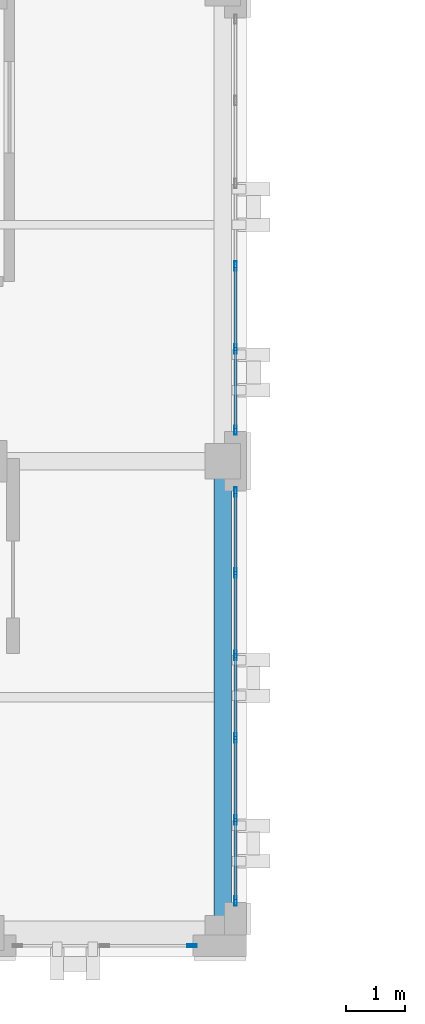
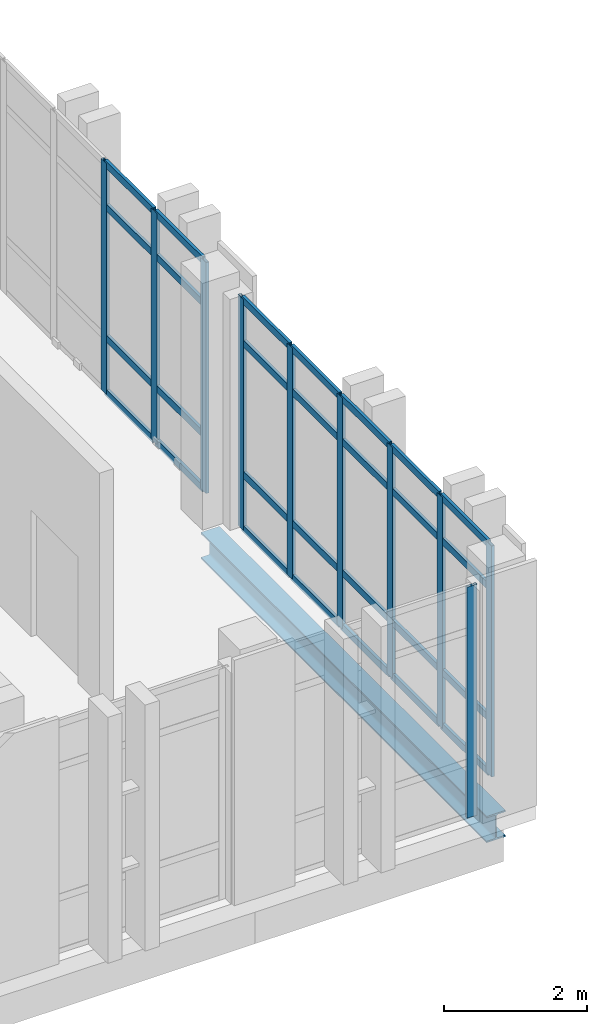
# One storey, part 7 of 77: 38 members, 1 beam, 3 elements without a shape of their own.
"""IFC4 building model written with IfcOpenShell, lengths in metres."""

from ifc_helpers import new_model, si_unit, direction, frame, origin, origin_2d, place, context, subcontext, project, spatial, hollow_rectangle, i_section, extrude, material, layer, layer_set, material_profile, profile_set, type_object, element, aggregate, save


model = new_model("IFC4")

# Units and contexts
model_context = context("Model", 3, precision=1e-05, world=origin(), true_north=direction((0.0, 1.0)))
body_context = subcontext(model_context, "Body", "Model", "MODEL_VIEW")
ifc_project = project(units=[si_unit("LENGTHUNIT", "METRE"), si_unit("AREAUNIT", "SQUARE_METRE"), si_unit("VOLUMEUNIT", "CUBIC_METRE"), si_unit("PLANEANGLEUNIT", "RADIAN"), si_unit("MASSUNIT", "GRAM", prefix="KILO")], contexts=[model_context])

# Site, building, storey
site_placement = place(None, origin())
site = spatial("IfcSite", under=ifc_project, at=site_placement, CompositionType="ELEMENT")
building_placement = place(site_placement, origin())
building = spatial("IfcBuilding", under=site, at=building_placement, Name="Qalavern Law Courts", CompositionType="ELEMENT")
storey_placement = place(building_placement, frame((0.0, 0.0, 27.0)))
storey = spatial("IfcBuildingStorey", under=building, at=storey_placement, Name="L06", CompositionType="ELEMENT", Elevation=27.0)

# Curtain wall, member
ifc_material_1 = material(Name="Anodised aluminium and insulated glazing", Category="aluminium")
ifc_layer = layer(ifc_material_1, 0.159912109375)
ifc_layer_set = layer_set([ifc_layer], Name="Anodised aluminium and insulated glazing")
curtain_wall_type = type_object("IfcCurtainWallType", Name="ENV-CW-CHAMB", PredefinedType="USERDEFINED", material=ifc_layer_set)
curtain_wall_1_placement = place(storey_placement, origin())
curtain_wall_1 = element("IfcCurtainWall", 1, at=curtain_wall_1_placement, inside=storey, type_object=curtain_wall_type, Name="V3 unitised curtain wall L06 south 2", ObjectType="UNITISED CURTAIN WALL", PredefinedType="USERDEFINED")
ifc_material_2 = material(Name="Anodised aluminium", Category="aluminium")
ifc_material_profile_1 = material_profile(ifc_material_2, hollow_rectangle(XDim=0.048095703125, YDim=0.159912109375, WallThickness=0.00390625, at=origin_2d()), Name="ALU MULLION 48x160")
ifc_profile_set_1 = profile_set([ifc_material_profile_1], Name="Anodised aluminium")
member_type_1 = type_object("IfcMemberType", Name="ENV-CWM-48x160", PredefinedType="MULLION", material=ifc_profile_set_1)
member_1_placement = place(storey_placement, frame((17.8759765625, 41.205078125, 0.0), z_axis=(0.0, 0.0, 1.0), x_axis=(0.0, 1.0, 0.0)))
member_1 = element("IfcMember", 2, at=member_1_placement, type_object=member_type_1, Name="CW-04 mullion 3", PredefinedType="MULLION", context=body_context, shape_type="SweptSolid", body=[
    extrude(hollow_rectangle(XDim=0.048095703125, YDim=0.159912109375, WallThickness=0.00390625, at=origin_2d()), origin(), (0.0, 0.0, 1.0), 3.93505859375),
])
aggregate(curtain_wall_1, [member_1])

# Curtain wall, members
curtain_wall_2_placement = place(storey_placement, origin())
curtain_wall_2 = element("IfcCurtainWall", 3, at=curtain_wall_2_placement, inside=storey, type_object=curtain_wall_type, Name="V3 unitised curtain wall L06 east 1", ObjectType="UNITISED CURTAIN WALL", PredefinedType="USERDEFINED")
member_2_placement = place(storey_placement, frame((18.614990234375, 41.958984375, 0.0), z_axis=(0.0, 0.0, 1.0), x_axis=(-1.0, 0.0, 0.0)))
member_2 = element("IfcMember", 4, at=member_2_placement, type_object=member_type_1, Name="CW-04 mullion 1", PredefinedType="MULLION", context=body_context, shape_type="SweptSolid", body=[
    extrude(hollow_rectangle(XDim=0.048095703125, YDim=0.159912109375, WallThickness=0.00390625, at=origin_2d()), origin(), (0.0, 0.0, 1.0), 3.93505859375),
])
member_3_placement = place(storey_placement, frame((18.614990234375, 43.327880859375, 0.0), z_axis=(0.0, 0.0, 1.0), x_axis=(-1.0, 0.0, 0.0)))
member_3 = element("IfcMember", 5, at=member_3_placement, type_object=member_type_1, Name="CW-04 mullion 2", PredefinedType="MULLION", context=body_context, shape_type="SweptSolid", body=[
    extrude(hollow_rectangle(XDim=0.048095703125, YDim=0.159912109375, WallThickness=0.00390625, at=origin_2d()), origin(), (0.0, 0.0, 1.0), 3.93505859375),
])
member_4_placement = place(storey_placement, frame((18.614990234375, 44.720947265625, 0.0), z_axis=(0.0, 0.0, 1.0), x_axis=(-1.0, 0.0, 0.0)))
member_4 = element("IfcMember", 6, at=member_4_placement, type_object=member_type_1, Name="CW-04 mullion 3", PredefinedType="MULLION", context=body_context, shape_type="SweptSolid", body=[
    extrude(hollow_rectangle(XDim=0.048095703125, YDim=0.159912109375, WallThickness=0.00390625, at=origin_2d()), origin(), (0.0, 0.0, 1.0), 3.93505859375),
])
member_5_placement = place(storey_placement, frame((18.614990234375, 46.114013671875, 0.0), z_axis=(0.0, 0.0, 1.0), x_axis=(-1.0, 0.0, 0.0)))
member_5 = element("IfcMember", 7, at=member_5_placement, type_object=member_type_1, Name="CW-04 mullion 4", PredefinedType="MULLION", context=body_context, shape_type="SweptSolid", body=[
    extrude(hollow_rectangle(XDim=0.048095703125, YDim=0.159912109375, WallThickness=0.00390625, at=origin_2d()), origin(), (0.0, 0.0, 1.0), 3.93505859375),
])
member_6_placement = place(storey_placement, frame((18.614990234375, 47.507080078125, 0.0), z_axis=(0.0, 0.0, 1.0), x_axis=(-1.0, 0.0, 0.0)))
member_6 = element("IfcMember", 8, at=member_6_placement, type_object=member_type_1, Name="CW-04 mullion 5", PredefinedType="MULLION", context=body_context, shape_type="SweptSolid", body=[
    extrude(hollow_rectangle(XDim=0.048095703125, YDim=0.159912109375, WallThickness=0.00390625, at=origin_2d()), origin(), (0.0, 0.0, 1.0), 3.93505859375),
])
member_7_placement = place(storey_placement, frame((18.614990234375, 48.8759765625, 0.0), z_axis=(0.0, 0.0, 1.0), x_axis=(-1.0, 0.0, 0.0)))
member_7 = element("IfcMember", 9, at=member_7_placement, type_object=member_type_1, Name="CW-04 mullion 6", PredefinedType="MULLION", context=body_context, shape_type="SweptSolid", body=[
    extrude(hollow_rectangle(XDim=0.048095703125, YDim=0.159912109375, WallThickness=0.00390625, at=origin_2d()), origin(), (0.0, 0.0, 1.0), 3.93505859375),
])

curtain_wall_3_placement = place(storey_placement, origin())
curtain_wall_3 = element("IfcCurtainWall", 10, at=curtain_wall_3_placement, inside=storey, type_object=curtain_wall_type, Name="V3 unitised curtain wall L06 east 2", ObjectType="UNITISED CURTAIN WALL", PredefinedType="USERDEFINED")
member_8_placement = place(storey_placement, frame((18.614990234375, 49.924072265625, 0.0), z_axis=(0.0, 0.0, 1.0), x_axis=(-1.0, 0.0, 0.0)))
member_8 = element("IfcMember", 11, at=member_8_placement, type_object=member_type_1, Name="CW-04 mullion 1", PredefinedType="MULLION", context=body_context, shape_type="SweptSolid", body=[
    extrude(hollow_rectangle(XDim=0.048095703125, YDim=0.159912109375, WallThickness=0.00390625, at=origin_2d()), origin(), (0.0, 0.0, 1.0), 3.93505859375),
])
member_9_placement = place(storey_placement, frame((18.614990234375, 51.300048828125, 0.0), z_axis=(0.0, 0.0, 1.0), x_axis=(-1.0, 0.0, 0.0)))
member_9 = element("IfcMember", 12, at=member_9_placement, type_object=member_type_1, Name="CW-04 mullion 2", PredefinedType="MULLION", context=body_context, shape_type="SweptSolid", body=[
    extrude(hollow_rectangle(XDim=0.048095703125, YDim=0.159912109375, WallThickness=0.00390625, at=origin_2d()), origin(), (0.0, 0.0, 1.0), 3.93505859375),
])
member_10_placement = place(storey_placement, frame((18.614990234375, 52.699951171875, 0.0), z_axis=(0.0, 0.0, 1.0), x_axis=(-1.0, 0.0, 0.0)))
member_10 = element("IfcMember", 13, at=member_10_placement, type_object=member_type_1, Name="CW-04 mullion 3", PredefinedType="MULLION", context=body_context, shape_type="SweptSolid", body=[
    extrude(hollow_rectangle(XDim=0.048095703125, YDim=0.159912109375, WallThickness=0.00390625, at=origin_2d()), origin(), (0.0, 0.0, 1.0), 3.93505859375),
])

# Member
ifc_material_profile_2 = material_profile(ifc_material_2, hollow_rectangle(XDim=0.048095703125, YDim=0.1201171875, WallThickness=0.00390625, at=origin_2d()), Name="ALU TRANSOM 48x120")
ifc_profile_set_2 = profile_set([ifc_material_profile_2], Name="Anodised aluminium")
member_type_2 = type_object("IfcMemberType", Name="ENV-CWT-48x120", PredefinedType="USERDEFINED", material=ifc_profile_set_2)
member_11_placement = place(storey_placement, frame((18.614990234375, 41.98291015625, 0.02392578125), z_axis=(0.0, 1.0, 0.0), x_axis=(-1.0, 0.0, 0.0)))
member_11 = element("IfcMember", 14, at=member_11_placement, type_object=member_type_2, Name="CW-04 transom 1.1", ObjectType="TRANSOM", PredefinedType="USERDEFINED", context=body_context, shape_type="SweptSolid", body=[
    extrude(hollow_rectangle(XDim=0.048095703125, YDim=0.1201171875, WallThickness=0.00390625, at=origin_2d()), origin(), (0.0, 0.0, 1.0), 1.321044921875),
])

member_12_placement = place(storey_placement, frame((18.614990234375, 41.98291015625, 0.949951171875), z_axis=(0.0, 1.0, 0.0), x_axis=(-1.0, 0.0, 0.0)))
member_12 = element("IfcMember", 15, at=member_12_placement, type_object=member_type_2, Name="CW-04 transom 1.2", ObjectType="TRANSOM", PredefinedType="USERDEFINED", context=body_context, shape_type="SweptSolid", body=[
    extrude(hollow_rectangle(XDim=0.048095703125, YDim=0.1201171875, WallThickness=0.00390625, at=origin_2d()), origin(), (0.0, 0.0, 1.0), 1.321044921875),
])

member_13_placement = place(storey_placement, frame((18.614990234375, 41.98291015625, 3.18505859375), z_axis=(0.0, 1.0, 0.0), x_axis=(-1.0, 0.0, 0.0)))
member_13 = element("IfcMember", 16, at=member_13_placement, type_object=member_type_2, Name="CW-04 transom 1.3", ObjectType="TRANSOM", PredefinedType="USERDEFINED", context=body_context, shape_type="SweptSolid", body=[
    extrude(hollow_rectangle(XDim=0.048095703125, YDim=0.1201171875, WallThickness=0.00390625, at=origin_2d()), origin(), (0.0, 0.0, 1.0), 1.321044921875),
])

member_14_placement = place(storey_placement, frame((18.614990234375, 41.98291015625, 3.910888671875), z_axis=(0.0, 1.0, 0.0), x_axis=(-1.0, 0.0, 0.0)))
member_14 = element("IfcMember", 17, at=member_14_placement, type_object=member_type_2, Name="CW-04 transom 1.4", ObjectType="TRANSOM", PredefinedType="USERDEFINED", context=body_context, shape_type="SweptSolid", body=[
    extrude(hollow_rectangle(XDim=0.048095703125, YDim=0.1201171875, WallThickness=0.00390625, at=origin_2d()), origin(), (0.0, 0.0, 1.0), 1.321044921875),
])

member_15_placement = place(storey_placement, frame((18.614990234375, 43.35205078125, 0.02392578125), z_axis=(0.0, 1.0, 0.0), x_axis=(-1.0, 0.0, 0.0)))
member_15 = element("IfcMember", 18, at=member_15_placement, type_object=member_type_2, Name="CW-04 transom 2.1", ObjectType="TRANSOM", PredefinedType="USERDEFINED", context=body_context, shape_type="SweptSolid", body=[
    extrude(hollow_rectangle(XDim=0.048095703125, YDim=0.1201171875, WallThickness=0.00390625, at=origin_2d()), origin(), (0.0, 0.0, 1.0), 1.344970703125),
])

member_16_placement = place(storey_placement, frame((18.614990234375, 43.35205078125, 0.949951171875), z_axis=(0.0, 1.0, 0.0), x_axis=(-1.0, 0.0, 0.0)))
member_16 = element("IfcMember", 19, at=member_16_placement, type_object=member_type_2, Name="CW-04 transom 2.2", ObjectType="TRANSOM", PredefinedType="USERDEFINED", context=body_context, shape_type="SweptSolid", body=[
    extrude(hollow_rectangle(XDim=0.048095703125, YDim=0.1201171875, WallThickness=0.00390625, at=origin_2d()), origin(), (0.0, 0.0, 1.0), 1.344970703125),
])

member_17_placement = place(storey_placement, frame((18.614990234375, 43.35205078125, 3.18505859375), z_axis=(0.0, 1.0, 0.0), x_axis=(-1.0, 0.0, 0.0)))
member_17 = element("IfcMember", 20, at=member_17_placement, type_object=member_type_2, Name="CW-04 transom 2.3", ObjectType="TRANSOM", PredefinedType="USERDEFINED", context=body_context, shape_type="SweptSolid", body=[
    extrude(hollow_rectangle(XDim=0.048095703125, YDim=0.1201171875, WallThickness=0.00390625, at=origin_2d()), origin(), (0.0, 0.0, 1.0), 1.344970703125),
])

member_18_placement = place(storey_placement, frame((18.614990234375, 43.35205078125, 3.910888671875), z_axis=(0.0, 1.0, 0.0), x_axis=(-1.0, 0.0, 0.0)))
member_18 = element("IfcMember", 21, at=member_18_placement, type_object=member_type_2, Name="CW-04 transom 2.4", ObjectType="TRANSOM", PredefinedType="USERDEFINED", context=body_context, shape_type="SweptSolid", body=[
    extrude(hollow_rectangle(XDim=0.048095703125, YDim=0.1201171875, WallThickness=0.00390625, at=origin_2d()), origin(), (0.0, 0.0, 1.0), 1.344970703125),
])

member_19_placement = place(storey_placement, frame((18.614990234375, 44.7451171875, 0.02392578125), z_axis=(0.0, 1.0, 0.0), x_axis=(-1.0, 0.0, 0.0)))
member_19 = element("IfcMember", 22, at=member_19_placement, type_object=member_type_2, Name="CW-04 transom 3.1", ObjectType="TRANSOM", PredefinedType="USERDEFINED", context=body_context, shape_type="SweptSolid", body=[
    extrude(hollow_rectangle(XDim=0.048095703125, YDim=0.1201171875, WallThickness=0.00390625, at=origin_2d()), origin(), (0.0, 0.0, 1.0), 1.344970703125),
])

member_20_placement = place(storey_placement, frame((18.614990234375, 44.7451171875, 0.949951171875), z_axis=(0.0, 1.0, 0.0), x_axis=(-1.0, 0.0, 0.0)))
member_20 = element("IfcMember", 23, at=member_20_placement, type_object=member_type_2, Name="CW-04 transom 3.2", ObjectType="TRANSOM", PredefinedType="USERDEFINED", context=body_context, shape_type="SweptSolid", body=[
    extrude(hollow_rectangle(XDim=0.048095703125, YDim=0.1201171875, WallThickness=0.00390625, at=origin_2d()), origin(), (0.0, 0.0, 1.0), 1.344970703125),
])

member_21_placement = place(storey_placement, frame((18.614990234375, 44.7451171875, 3.18505859375), z_axis=(0.0, 1.0, 0.0), x_axis=(-1.0, 0.0, 0.0)))
member_21 = element("IfcMember", 24, at=member_21_placement, type_object=member_type_2, Name="CW-04 transom 3.3", ObjectType="TRANSOM", PredefinedType="USERDEFINED", context=body_context, shape_type="SweptSolid", body=[
    extrude(hollow_rectangle(XDim=0.048095703125, YDim=0.1201171875, WallThickness=0.00390625, at=origin_2d()), origin(), (0.0, 0.0, 1.0), 1.344970703125),
])

member_22_placement = place(storey_placement, frame((18.614990234375, 44.7451171875, 3.910888671875), z_axis=(0.0, 1.0, 0.0), x_axis=(-1.0, 0.0, 0.0)))
member_22 = element("IfcMember", 25, at=member_22_placement, type_object=member_type_2, Name="CW-04 transom 3.4", ObjectType="TRANSOM", PredefinedType="USERDEFINED", context=body_context, shape_type="SweptSolid", body=[
    extrude(hollow_rectangle(XDim=0.048095703125, YDim=0.1201171875, WallThickness=0.00390625, at=origin_2d()), origin(), (0.0, 0.0, 1.0), 1.344970703125),
])

member_23_placement = place(storey_placement, frame((18.614990234375, 46.137939453125, 0.02392578125), z_axis=(0.0, 1.0, 0.0), x_axis=(-1.0, 0.0, 0.0)))
member_23 = element("IfcMember", 26, at=member_23_placement, type_object=member_type_2, Name="CW-04 transom 4.1", ObjectType="TRANSOM", PredefinedType="USERDEFINED", context=body_context, shape_type="SweptSolid", body=[
    extrude(hollow_rectangle(XDim=0.048095703125, YDim=0.1201171875, WallThickness=0.00390625, at=origin_2d()), origin(), (0.0, 0.0, 1.0), 1.344970703125),
])

member_24_placement = place(storey_placement, frame((18.614990234375, 46.137939453125, 0.949951171875), z_axis=(0.0, 1.0, 0.0), x_axis=(-1.0, 0.0, 0.0)))
member_24 = element("IfcMember", 27, at=member_24_placement, type_object=member_type_2, Name="CW-04 transom 4.2", ObjectType="TRANSOM", PredefinedType="USERDEFINED", context=body_context, shape_type="SweptSolid", body=[
    extrude(hollow_rectangle(XDim=0.048095703125, YDim=0.1201171875, WallThickness=0.00390625, at=origin_2d()), origin(), (0.0, 0.0, 1.0), 1.344970703125),
])

member_25_placement = place(storey_placement, frame((18.614990234375, 46.137939453125, 3.18505859375), z_axis=(0.0, 1.0, 0.0), x_axis=(-1.0, 0.0, 0.0)))
member_25 = element("IfcMember", 28, at=member_25_placement, type_object=member_type_2, Name="CW-04 transom 4.3", ObjectType="TRANSOM", PredefinedType="USERDEFINED", context=body_context, shape_type="SweptSolid", body=[
    extrude(hollow_rectangle(XDim=0.048095703125, YDim=0.1201171875, WallThickness=0.00390625, at=origin_2d()), origin(), (0.0, 0.0, 1.0), 1.344970703125),
])

member_26_placement = place(storey_placement, frame((18.614990234375, 46.137939453125, 3.910888671875), z_axis=(0.0, 1.0, 0.0), x_axis=(-1.0, 0.0, 0.0)))
member_26 = element("IfcMember", 29, at=member_26_placement, type_object=member_type_2, Name="CW-04 transom 4.4", ObjectType="TRANSOM", PredefinedType="USERDEFINED", context=body_context, shape_type="SweptSolid", body=[
    extrude(hollow_rectangle(XDim=0.048095703125, YDim=0.1201171875, WallThickness=0.00390625, at=origin_2d()), origin(), (0.0, 0.0, 1.0), 1.344970703125),
])

member_27_placement = place(storey_placement, frame((18.614990234375, 47.531005859375, 0.02392578125), z_axis=(0.0, 1.0, 0.0), x_axis=(-1.0, 0.0, 0.0)))
member_27 = element("IfcMember", 30, at=member_27_placement, type_object=member_type_2, Name="CW-04 transom 5.1", ObjectType="TRANSOM", PredefinedType="USERDEFINED", context=body_context, shape_type="SweptSolid", body=[
    extrude(hollow_rectangle(XDim=0.048095703125, YDim=0.1201171875, WallThickness=0.00390625, at=origin_2d()), origin(), (0.0, 0.0, 1.0), 1.321044921875),
])

member_28_placement = place(storey_placement, frame((18.614990234375, 47.531005859375, 0.949951171875), z_axis=(0.0, 1.0, 0.0), x_axis=(-1.0, 0.0, 0.0)))
member_28 = element("IfcMember", 31, at=member_28_placement, type_object=member_type_2, Name="CW-04 transom 5.2", ObjectType="TRANSOM", PredefinedType="USERDEFINED", context=body_context, shape_type="SweptSolid", body=[
    extrude(hollow_rectangle(XDim=0.048095703125, YDim=0.1201171875, WallThickness=0.00390625, at=origin_2d()), origin(), (0.0, 0.0, 1.0), 1.321044921875),
])

member_29_placement = place(storey_placement, frame((18.614990234375, 47.531005859375, 3.18505859375), z_axis=(0.0, 1.0, 0.0), x_axis=(-1.0, 0.0, 0.0)))
member_29 = element("IfcMember", 32, at=member_29_placement, type_object=member_type_2, Name="CW-04 transom 5.3", ObjectType="TRANSOM", PredefinedType="USERDEFINED", context=body_context, shape_type="SweptSolid", body=[
    extrude(hollow_rectangle(XDim=0.048095703125, YDim=0.1201171875, WallThickness=0.00390625, at=origin_2d()), origin(), (0.0, 0.0, 1.0), 1.321044921875),
])

member_30_placement = place(storey_placement, frame((18.614990234375, 47.531005859375, 3.910888671875), z_axis=(0.0, 1.0, 0.0), x_axis=(-1.0, 0.0, 0.0)))
member_30 = element("IfcMember", 33, at=member_30_placement, type_object=member_type_2, Name="CW-04 transom 5.4", ObjectType="TRANSOM", PredefinedType="USERDEFINED", context=body_context, shape_type="SweptSolid", body=[
    extrude(hollow_rectangle(XDim=0.048095703125, YDim=0.1201171875, WallThickness=0.00390625, at=origin_2d()), origin(), (0.0, 0.0, 1.0), 1.321044921875),
])

aggregate(curtain_wall_2, [member_2, member_3, member_4, member_5, member_6, member_7, member_11, member_12, member_13, member_14, member_15, member_16, member_17, member_18, member_19, member_20, member_21, member_22, member_23, member_24, member_25, member_26, member_27, member_28, member_29, member_30])

member_31_placement = place(storey_placement, frame((18.614990234375, 49.947998046875, 0.02392578125), z_axis=(0.0, 1.0, 0.0), x_axis=(-1.0, 0.0, 0.0)))
member_31 = element("IfcMember", 34, at=member_31_placement, type_object=member_type_2, Name="CW-04 transom 1.1", ObjectType="TRANSOM", PredefinedType="USERDEFINED", context=body_context, shape_type="SweptSolid", body=[
    extrude(hollow_rectangle(XDim=0.048095703125, YDim=0.1201171875, WallThickness=0.00390625, at=origin_2d()), origin(), (0.0, 0.0, 1.0), 1.327880859375),
])

member_32_placement = place(storey_placement, frame((18.614990234375, 49.947998046875, 0.949951171875), z_axis=(0.0, 1.0, 0.0), x_axis=(-1.0, 0.0, 0.0)))
member_32 = element("IfcMember", 35, at=member_32_placement, type_object=member_type_2, Name="CW-04 transom 1.2", ObjectType="TRANSOM", PredefinedType="USERDEFINED", context=body_context, shape_type="SweptSolid", body=[
    extrude(hollow_rectangle(XDim=0.048095703125, YDim=0.1201171875, WallThickness=0.00390625, at=origin_2d()), origin(), (0.0, 0.0, 1.0), 1.327880859375),
])

member_33_placement = place(storey_placement, frame((18.614990234375, 49.947998046875, 3.18505859375), z_axis=(0.0, 1.0, 0.0), x_axis=(-1.0, 0.0, 0.0)))
member_33 = element("IfcMember", 36, at=member_33_placement, type_object=member_type_2, Name="CW-04 transom 1.3", ObjectType="TRANSOM", PredefinedType="USERDEFINED", context=body_context, shape_type="SweptSolid", body=[
    extrude(hollow_rectangle(XDim=0.048095703125, YDim=0.1201171875, WallThickness=0.00390625, at=origin_2d()), origin(), (0.0, 0.0, 1.0), 1.327880859375),
])

member_34_placement = place(storey_placement, frame((18.614990234375, 49.947998046875, 3.910888671875), z_axis=(0.0, 1.0, 0.0), x_axis=(-1.0, 0.0, 0.0)))
member_34 = element("IfcMember", 37, at=member_34_placement, type_object=member_type_2, Name="CW-04 transom 1.4", ObjectType="TRANSOM", PredefinedType="USERDEFINED", context=body_context, shape_type="SweptSolid", body=[
    extrude(hollow_rectangle(XDim=0.048095703125, YDim=0.1201171875, WallThickness=0.00390625, at=origin_2d()), origin(), (0.0, 0.0, 1.0), 1.327880859375),
])

member_35_placement = place(storey_placement, frame((18.614990234375, 51.323974609375, 0.02392578125), z_axis=(0.0, 1.0, 0.0), x_axis=(-1.0, 0.0, 0.0)))
member_35 = element("IfcMember", 38, at=member_35_placement, type_object=member_type_2, Name="CW-04 transom 2.1", ObjectType="TRANSOM", PredefinedType="USERDEFINED", context=body_context, shape_type="SweptSolid", body=[
    extrude(hollow_rectangle(XDim=0.048095703125, YDim=0.1201171875, WallThickness=0.00390625, at=origin_2d()), origin(), (0.0, 0.0, 1.0), 1.35205078125),
])

member_36_placement = place(storey_placement, frame((18.614990234375, 51.323974609375, 0.949951171875), z_axis=(0.0, 1.0, 0.0), x_axis=(-1.0, 0.0, 0.0)))
member_36 = element("IfcMember", 39, at=member_36_placement, type_object=member_type_2, Name="CW-04 transom 2.2", ObjectType="TRANSOM", PredefinedType="USERDEFINED", context=body_context, shape_type="SweptSolid", body=[
    extrude(hollow_rectangle(XDim=0.048095703125, YDim=0.1201171875, WallThickness=0.00390625, at=origin_2d()), origin(), (0.0, 0.0, 1.0), 1.35205078125),
])

member_37_placement = place(storey_placement, frame((18.614990234375, 51.323974609375, 3.18505859375), z_axis=(0.0, 1.0, 0.0), x_axis=(-1.0, 0.0, 0.0)))
member_37 = element("IfcMember", 40, at=member_37_placement, type_object=member_type_2, Name="CW-04 transom 2.3", ObjectType="TRANSOM", PredefinedType="USERDEFINED", context=body_context, shape_type="SweptSolid", body=[
    extrude(hollow_rectangle(XDim=0.048095703125, YDim=0.1201171875, WallThickness=0.00390625, at=origin_2d()), origin(), (0.0, 0.0, 1.0), 1.35205078125),
])

member_38_placement = place(storey_placement, frame((18.614990234375, 51.323974609375, 3.910888671875), z_axis=(0.0, 1.0, 0.0), x_axis=(-1.0, 0.0, 0.0)))
member_38 = element("IfcMember", 41, at=member_38_placement, type_object=member_type_2, Name="CW-04 transom 2.4", ObjectType="TRANSOM", PredefinedType="USERDEFINED", context=body_context, shape_type="SweptSolid", body=[
    extrude(hollow_rectangle(XDim=0.048095703125, YDim=0.1201171875, WallThickness=0.00390625, at=origin_2d()), origin(), (0.0, 0.0, 1.0), 1.35205078125),
])

aggregate(curtain_wall_3, [member_8, member_9, member_10, member_31, member_32, member_33, member_34, member_35, member_36, member_37, member_38])

# Beam
ifc_material_3 = material(Name="Steel S355", Category="steel")
ifc_material_profile_3 = material_profile(ifc_material_3, i_section(OverallWidth=0.300048828125, OverallDepth=0.449951171875, WebThickness=0.013916015625, FlangeThickness=0.02587890625, FilletRadius=0.027099609375, at=origin_2d()), Name="HEB 450")
ifc_profile_set_3 = profile_set([ifc_material_profile_3], Name="Steel S355")
beam_type = type_object("IfcBeamType", Name="STR-SP-HEB450", PredefinedType="SPANDREL", material=ifc_profile_set_3)
beam_placement = place(storey_placement, frame((18.39990234375, 41.419921875, -0.4951171875), z_axis=(0.0, 1.0, 0.0), x_axis=(-1.0, 0.0, 0.0)))
element("IfcBeam", 42, at=beam_placement, inside=storey, type_object=beam_type, Name="V3 Y-beam 3-1 L06", PredefinedType="SPANDREL", context=body_context, shape_type="SweptSolid", body=[
    extrude(i_section(OverallWidth=0.300048828125, OverallDepth=0.449951171875, WebThickness=0.013916015625, FlangeThickness=0.02587890625, FilletRadius=0.027099609375, at=origin_2d()), origin(), (0.0, 0.0, 1.0), 7.97998046875),
])

save(model, "model.ifc")
